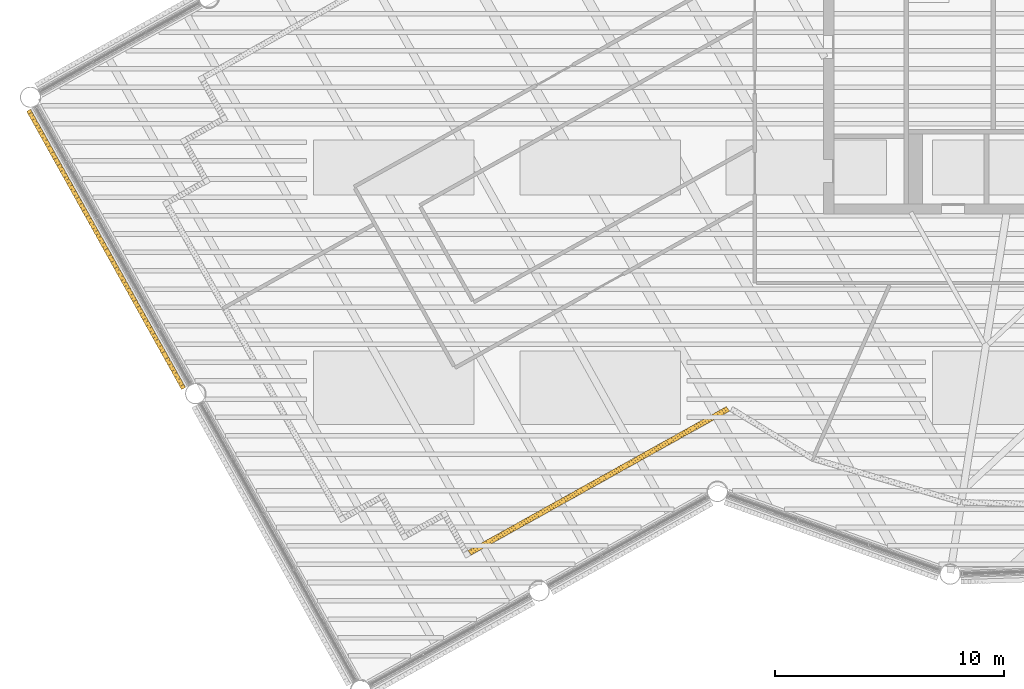
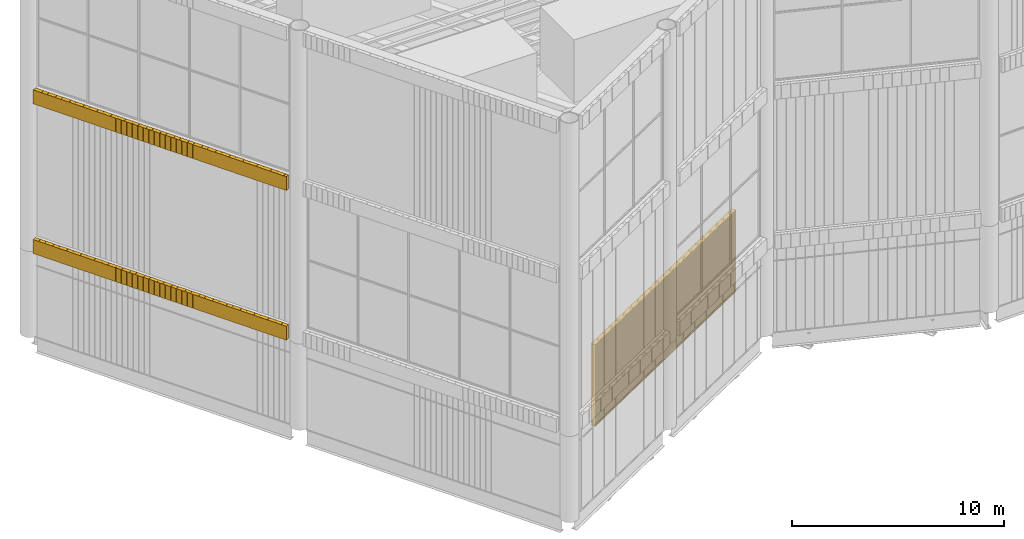
# One storey, part 89 of 117: 2 coverings, 1 shading device.
"""IFC4 building model written with IfcOpenShell, lengths in metres."""

from ifc_helpers import new_model, si_unit, direction, frame, frame_2d, origin, place, context, subcontext, project, spatial, rectangle, composite_profile, extrude, material, type_object, element, save


model = new_model("IFC4")

# Units and contexts
model_context = context("Model", 3, precision=1e-05, world=origin(), true_north=direction((0.0, 1.0)))
body_context = subcontext(model_context, "Body", "Model", "MODEL_VIEW")
ifc_project = project(units=[si_unit("LENGTHUNIT", "METRE"), si_unit("AREAUNIT", "SQUARE_METRE"), si_unit("VOLUMEUNIT", "CUBIC_METRE"), si_unit("PLANEANGLEUNIT", "RADIAN"), si_unit("MASSUNIT", "GRAM", prefix="KILO")], contexts=[model_context])

# Site, building, storey
site_placement = place(None, origin())
site = spatial("IfcSite", under=ifc_project, at=site_placement, CompositionType="ELEMENT")
building_placement = place(site_placement, origin())
building = spatial("IfcBuilding", under=site, at=building_placement, Name="Tarsis Ring Headquarters", CompositionType="ELEMENT")
storey_placement = place(building_placement, frame((0.0, 0.0, 403.60009765625)))
storey = spatial("IfcBuildingStorey", under=building, at=storey_placement, Name="L95", CompositionType="ELEMENT", Elevation=403.60009765625)

# Coverings
ifc_material_1 = material(Name="Terracotta louvre", Category="masonry")
covering_type = type_object("IfcCoveringType", Name="Crown louvre fin", PredefinedType="CLADDING", material=ifc_material_1)
covering_1_placement = place(storey_placement, frame((-44.67578125, -8.468505859375, 5.0), z_axis=(0.0, 0.0, 1.0), x_axis=(0.486629041616, -0.873604444679, 0.0)))
element("IfcCovering", 1, at=covering_1_placement, inside=storey, type_object=covering_type, Name="Crown louvre fascia R16", PredefinedType="CLADDING", context=body_context, shape_type="SweptSolid", body=[
    extrude(composite_profile([rectangle(XDim=0.14501953125, YDim=0.199951171875, at=frame_2d((0.072509765625, 0.0))), rectangle(XDim=0.14501953125, YDim=0.199951171875, at=frame_2d((0.223388671875, 0.0))), rectangle(XDim=0.14501953125, YDim=0.199951171875, at=frame_2d((0.37451171875, 0.0))), rectangle(XDim=0.14501953125, YDim=0.199951171875, at=frame_2d((0.525390625, 0.0))), rectangle(XDim=0.14501953125, YDim=0.199951171875, at=frame_2d((0.676513671875, 0.0))), rectangle(XDim=0.14501953125, YDim=0.199951171875, at=frame_2d((0.827392578125, 0.0))), rectangle(XDim=0.14501953125, YDim=0.199951171875, at=frame_2d((0.978515625, 0.0))), rectangle(XDim=0.14501953125, YDim=0.199951171875, at=frame_2d((1.12939453125, 0.0))), rectangle(XDim=0.14501953125, YDim=0.199951171875, at=frame_2d((1.280517578125, 0.0))), rectangle(XDim=0.14501953125, YDim=0.199951171875, at=frame_2d((1.431396484375, 0.0))), rectangle(XDim=0.14501953125, YDim=0.199951171875, at=frame_2d((1.58251953125, 0.0))), rectangle(XDim=0.14501953125, YDim=0.199951171875, at=frame_2d((1.7333984375, 0.0))), rectangle(XDim=0.14501953125, YDim=0.199951171875, at=frame_2d((1.884521484375, 0.0))), rectangle(XDim=0.14501953125, YDim=0.199951171875, at=frame_2d((2.035400390625, 0.0))), rectangle(XDim=0.14501953125, YDim=0.199951171875, at=frame_2d((2.1865234375, 0.0))), rectangle(XDim=0.14501953125, YDim=0.199951171875, at=frame_2d((2.33740234375, 0.0))), rectangle(XDim=0.14501953125, YDim=0.199951171875, at=frame_2d((2.488525390625, 0.0))), rectangle(XDim=0.14501953125, YDim=0.199951171875, at=frame_2d((2.639404296875, 0.0))), rectangle(XDim=0.14501953125, YDim=0.199951171875, at=frame_2d((2.79052734375, 0.0))), rectangle(XDim=0.14501953125, YDim=0.199951171875, at=frame_2d((2.94140625, 0.0))), rectangle(XDim=0.14501953125, YDim=0.199951171875, at=frame_2d((3.092529296875, 0.0))), rectangle(XDim=0.14501953125, YDim=0.199951171875, at=frame_2d((3.243408203125, 0.0))), rectangle(XDim=0.14501953125, YDim=0.199951171875, at=frame_2d((3.39453125, 0.0))), rectangle(XDim=0.14501953125, YDim=0.199951171875, at=frame_2d((3.54541015625, 0.0))), rectangle(XDim=0.14501953125, YDim=0.199951171875, at=frame_2d((3.696533203125, 0.0))), rectangle(XDim=0.14501953125, YDim=0.199951171875, at=frame_2d((3.847412109375, 0.0))), rectangle(XDim=0.14501953125, YDim=0.199951171875, at=frame_2d((3.99853515625, 0.0))), rectangle(XDim=0.14501953125, YDim=0.199951171875, at=frame_2d((4.1494140625, 0.0))), rectangle(XDim=0.14501953125, YDim=0.199951171875, at=frame_2d((4.300537109375, 0.0))), rectangle(XDim=0.14501953125, YDim=0.199951171875, at=frame_2d((4.451416015625, 0.0))), rectangle(XDim=0.14501953125, YDim=0.199951171875, at=frame_2d((4.6025390625, 0.0))), rectangle(XDim=0.14501953125, YDim=0.199951171875, at=frame_2d((4.75341796875, 0.0))), rectangle(XDim=0.14501953125, YDim=0.199951171875, at=frame_2d((4.904541015625, 0.0))), rectangle(XDim=0.14501953125, YDim=0.199951171875, at=frame_2d((5.055419921875, 0.0))), rectangle(XDim=0.14501953125, YDim=0.199951171875, at=frame_2d((5.20654296875, 0.0))), rectangle(XDim=0.14501953125, YDim=0.199951171875, at=frame_2d((5.357421875, 0.0))), rectangle(XDim=0.14501953125, YDim=0.199951171875, at=frame_2d((5.508544921875, 0.0))), rectangle(XDim=0.14501953125, YDim=0.199951171875, at=frame_2d((5.659423828125, 0.0))), rectangle(XDim=0.14501953125, YDim=0.199951171875, at=frame_2d((5.810546875, 0.0))), rectangle(XDim=0.14501953125, YDim=0.199951171875, at=frame_2d((5.96142578125, 0.0))), rectangle(XDim=0.14501953125, YDim=0.199951171875, at=frame_2d((6.112548828125, 0.0))), rectangle(XDim=0.14501953125, YDim=0.199951171875, at=frame_2d((6.263427734375, 0.0))), rectangle(XDim=0.14501953125, YDim=0.199951171875, at=frame_2d((6.41455078125, 0.0))), rectangle(XDim=0.14501953125, YDim=0.199951171875, at=frame_2d((6.5654296875, 0.0))), rectangle(XDim=0.14501953125, YDim=0.199951171875, at=frame_2d((6.716552734375, 0.0))), rectangle(XDim=0.14501953125, YDim=0.199951171875, at=frame_2d((6.867431640625, 0.0))), rectangle(XDim=0.14501953125, YDim=0.199951171875, at=frame_2d((7.0185546875, 0.0))), rectangle(XDim=0.14501953125, YDim=0.199951171875, at=frame_2d((7.16943359375, 0.0))), rectangle(XDim=0.14501953125, YDim=0.199951171875, at=frame_2d((7.320556640625, 0.0))), rectangle(XDim=0.14501953125, YDim=0.199951171875, at=frame_2d((7.471435546875, 0.0))), rectangle(XDim=0.14501953125, YDim=0.199951171875, at=frame_2d((7.62255859375, 0.0))), rectangle(XDim=0.14501953125, YDim=0.199951171875, at=frame_2d((7.7734375, 0.0))), rectangle(XDim=0.14501953125, YDim=0.199951171875, at=frame_2d((7.924560546875, 0.0))), rectangle(XDim=0.14501953125, YDim=0.199951171875, at=frame_2d((8.075439453125, 0.0))), rectangle(XDim=0.14501953125, YDim=0.199951171875, at=frame_2d((8.2265625, 0.0))), rectangle(XDim=0.14501953125, YDim=0.199951171875, at=frame_2d((8.37744140625, 0.0))), rectangle(XDim=0.14501953125, YDim=0.199951171875, at=frame_2d((8.528564453125, 0.0))), rectangle(XDim=0.14501953125, YDim=0.199951171875, at=frame_2d((8.679443359375, 0.0))), rectangle(XDim=0.14501953125, YDim=0.199951171875, at=frame_2d((8.83056640625, 0.0))), rectangle(XDim=0.14501953125, YDim=0.199951171875, at=frame_2d((8.9814453125, 0.0))), rectangle(XDim=0.14501953125, YDim=0.199951171875, at=frame_2d((9.132568359375, 0.0))), rectangle(XDim=0.14501953125, YDim=0.199951171875, at=frame_2d((9.283447265625, 0.0))), rectangle(XDim=0.14501953125, YDim=0.199951171875, at=frame_2d((9.4345703125, 0.0))), rectangle(XDim=0.14501953125, YDim=0.199951171875, at=frame_2d((9.58544921875, 0.0))), rectangle(XDim=0.14501953125, YDim=0.199951171875, at=frame_2d((9.736572265625, 0.0))), rectangle(XDim=0.14501953125, YDim=0.199951171875, at=frame_2d((9.887451171875, 0.0))), rectangle(XDim=0.14501953125, YDim=0.199951171875, at=frame_2d((10.03857421875, 0.0))), rectangle(XDim=0.14501953125, YDim=0.199951171875, at=frame_2d((10.189453125, 0.0))), rectangle(XDim=0.14501953125, YDim=0.199951171875, at=frame_2d((10.340576171875, 0.0))), rectangle(XDim=0.14501953125, YDim=0.199951171875, at=frame_2d((10.491455078125, 0.0))), rectangle(XDim=0.14501953125, YDim=0.199951171875, at=frame_2d((10.642578125, 0.0))), rectangle(XDim=0.14501953125, YDim=0.199951171875, at=frame_2d((10.79345703125, 0.0))), rectangle(XDim=0.14501953125, YDim=0.199951171875, at=frame_2d((10.944580078125, 0.0))), rectangle(XDim=0.14501953125, YDim=0.199951171875, at=frame_2d((11.095458984375, 0.0))), rectangle(XDim=0.14501953125, YDim=0.199951171875, at=frame_2d((11.24658203125, 0.0))), rectangle(XDim=0.14501953125, YDim=0.199951171875, at=frame_2d((11.3974609375, 0.0))), rectangle(XDim=0.14501953125, YDim=0.199951171875, at=frame_2d((11.548583984375, 0.0))), rectangle(XDim=0.14501953125, YDim=0.199951171875, at=frame_2d((11.699462890625, 0.0))), rectangle(XDim=0.14501953125, YDim=0.199951171875, at=frame_2d((11.8505859375, 0.0))), rectangle(XDim=0.14501953125, YDim=0.199951171875, at=frame_2d((12.00146484375, 0.0))), rectangle(XDim=0.14501953125, YDim=0.199951171875, at=frame_2d((12.152587890625, 0.0))), rectangle(XDim=0.14501953125, YDim=0.199951171875, at=frame_2d((12.303466796875, 0.0))), rectangle(XDim=0.14501953125, YDim=0.199951171875, at=frame_2d((12.45458984375, 0.0))), rectangle(XDim=0.14501953125, YDim=0.199951171875, at=frame_2d((12.60546875, 0.0))), rectangle(XDim=0.14501953125, YDim=0.199951171875, at=frame_2d((12.756591796875, 0.0))), rectangle(XDim=0.14501953125, YDim=0.199951171875, at=frame_2d((12.907470703125, 0.0))), rectangle(XDim=0.14501953125, YDim=0.199951171875, at=frame_2d((13.05859375, 0.0))), rectangle(XDim=0.14501953125, YDim=0.199951171875, at=frame_2d((13.20947265625, 0.0))), rectangle(XDim=0.14501953125, YDim=0.199951171875, at=frame_2d((13.360595703125, 0.0))), rectangle(XDim=0.14501953125, YDim=0.199951171875, at=frame_2d((13.511474609375, 0.0))), rectangle(XDim=0.14501953125, YDim=0.199951171875, at=frame_2d((13.66259765625, 0.0))), rectangle(XDim=0.14501953125, YDim=0.199951171875, at=frame_2d((13.8134765625, 0.0)))]), origin(), (0.0, 0.0, 1.0), 0.7998046875),
])
covering_2_placement = place(storey_placement, frame((-44.67578125, -8.468505859375, 13.599853515625), z_axis=(0.0, 0.0, 1.0), x_axis=(0.486629041616, -0.873604444679, 0.0)))
element("IfcCovering", 2, at=covering_2_placement, inside=storey, type_object=covering_type, Name="Crown louvre fascia M16", PredefinedType="CLADDING", context=body_context, shape_type="SweptSolid", body=[
    extrude(composite_profile([rectangle(XDim=0.14501953125, YDim=0.199951171875, at=frame_2d((0.072509765625, 0.0))), rectangle(XDim=0.14501953125, YDim=0.199951171875, at=frame_2d((0.223388671875, 0.0))), rectangle(XDim=0.14501953125, YDim=0.199951171875, at=frame_2d((0.37451171875, 0.0))), rectangle(XDim=0.14501953125, YDim=0.199951171875, at=frame_2d((0.525390625, 0.0))), rectangle(XDim=0.14501953125, YDim=0.199951171875, at=frame_2d((0.676513671875, 0.0))), rectangle(XDim=0.14501953125, YDim=0.199951171875, at=frame_2d((0.827392578125, 0.0))), rectangle(XDim=0.14501953125, YDim=0.199951171875, at=frame_2d((0.978515625, 0.0))), rectangle(XDim=0.14501953125, YDim=0.199951171875, at=frame_2d((1.12939453125, 0.0))), rectangle(XDim=0.14501953125, YDim=0.199951171875, at=frame_2d((1.280517578125, 0.0))), rectangle(XDim=0.14501953125, YDim=0.199951171875, at=frame_2d((1.431396484375, 0.0))), rectangle(XDim=0.14501953125, YDim=0.199951171875, at=frame_2d((1.58251953125, 0.0))), rectangle(XDim=0.14501953125, YDim=0.199951171875, at=frame_2d((1.7333984375, 0.0))), rectangle(XDim=0.14501953125, YDim=0.199951171875, at=frame_2d((1.884521484375, 0.0))), rectangle(XDim=0.14501953125, YDim=0.199951171875, at=frame_2d((2.035400390625, 0.0))), rectangle(XDim=0.14501953125, YDim=0.199951171875, at=frame_2d((2.1865234375, 0.0))), rectangle(XDim=0.14501953125, YDim=0.199951171875, at=frame_2d((2.33740234375, 0.0))), rectangle(XDim=0.14501953125, YDim=0.199951171875, at=frame_2d((2.488525390625, 0.0))), rectangle(XDim=0.14501953125, YDim=0.199951171875, at=frame_2d((2.639404296875, 0.0))), rectangle(XDim=0.14501953125, YDim=0.199951171875, at=frame_2d((2.79052734375, 0.0))), rectangle(XDim=0.14501953125, YDim=0.199951171875, at=frame_2d((2.94140625, 0.0))), rectangle(XDim=0.14501953125, YDim=0.199951171875, at=frame_2d((3.092529296875, 0.0))), rectangle(XDim=0.14501953125, YDim=0.199951171875, at=frame_2d((3.243408203125, 0.0))), rectangle(XDim=0.14501953125, YDim=0.199951171875, at=frame_2d((3.39453125, 0.0))), rectangle(XDim=0.14501953125, YDim=0.199951171875, at=frame_2d((3.54541015625, 0.0))), rectangle(XDim=0.14501953125, YDim=0.199951171875, at=frame_2d((3.696533203125, 0.0))), rectangle(XDim=0.14501953125, YDim=0.199951171875, at=frame_2d((3.847412109375, 0.0))), rectangle(XDim=0.14501953125, YDim=0.199951171875, at=frame_2d((3.99853515625, 0.0))), rectangle(XDim=0.14501953125, YDim=0.199951171875, at=frame_2d((4.1494140625, 0.0))), rectangle(XDim=0.14501953125, YDim=0.199951171875, at=frame_2d((4.300537109375, 0.0))), rectangle(XDim=0.14501953125, YDim=0.199951171875, at=frame_2d((4.451416015625, 0.0))), rectangle(XDim=0.14501953125, YDim=0.199951171875, at=frame_2d((4.6025390625, 0.0))), rectangle(XDim=0.14501953125, YDim=0.199951171875, at=frame_2d((4.75341796875, 0.0))), rectangle(XDim=0.14501953125, YDim=0.199951171875, at=frame_2d((4.904541015625, 0.0))), rectangle(XDim=0.14501953125, YDim=0.199951171875, at=frame_2d((5.055419921875, 0.0))), rectangle(XDim=0.14501953125, YDim=0.199951171875, at=frame_2d((5.20654296875, 0.0))), rectangle(XDim=0.14501953125, YDim=0.199951171875, at=frame_2d((5.357421875, 0.0))), rectangle(XDim=0.14501953125, YDim=0.199951171875, at=frame_2d((5.508544921875, 0.0))), rectangle(XDim=0.14501953125, YDim=0.199951171875, at=frame_2d((5.659423828125, 0.0))), rectangle(XDim=0.14501953125, YDim=0.199951171875, at=frame_2d((5.810546875, 0.0))), rectangle(XDim=0.14501953125, YDim=0.199951171875, at=frame_2d((5.96142578125, 0.0))), rectangle(XDim=0.14501953125, YDim=0.199951171875, at=frame_2d((6.112548828125, 0.0))), rectangle(XDim=0.14501953125, YDim=0.199951171875, at=frame_2d((6.263427734375, 0.0))), rectangle(XDim=0.14501953125, YDim=0.199951171875, at=frame_2d((6.41455078125, 0.0))), rectangle(XDim=0.14501953125, YDim=0.199951171875, at=frame_2d((6.5654296875, 0.0))), rectangle(XDim=0.14501953125, YDim=0.199951171875, at=frame_2d((6.716552734375, 0.0))), rectangle(XDim=0.14501953125, YDim=0.199951171875, at=frame_2d((6.867431640625, 0.0))), rectangle(XDim=0.14501953125, YDim=0.199951171875, at=frame_2d((7.0185546875, 0.0))), rectangle(XDim=0.14501953125, YDim=0.199951171875, at=frame_2d((7.16943359375, 0.0))), rectangle(XDim=0.14501953125, YDim=0.199951171875, at=frame_2d((7.320556640625, 0.0))), rectangle(XDim=0.14501953125, YDim=0.199951171875, at=frame_2d((7.471435546875, 0.0))), rectangle(XDim=0.14501953125, YDim=0.199951171875, at=frame_2d((7.62255859375, 0.0))), rectangle(XDim=0.14501953125, YDim=0.199951171875, at=frame_2d((7.7734375, 0.0))), rectangle(XDim=0.14501953125, YDim=0.199951171875, at=frame_2d((7.924560546875, 0.0))), rectangle(XDim=0.14501953125, YDim=0.199951171875, at=frame_2d((8.075439453125, 0.0))), rectangle(XDim=0.14501953125, YDim=0.199951171875, at=frame_2d((8.2265625, 0.0))), rectangle(XDim=0.14501953125, YDim=0.199951171875, at=frame_2d((8.37744140625, 0.0))), rectangle(XDim=0.14501953125, YDim=0.199951171875, at=frame_2d((8.528564453125, 0.0))), rectangle(XDim=0.14501953125, YDim=0.199951171875, at=frame_2d((8.679443359375, 0.0))), rectangle(XDim=0.14501953125, YDim=0.199951171875, at=frame_2d((8.83056640625, 0.0))), rectangle(XDim=0.14501953125, YDim=0.199951171875, at=frame_2d((8.9814453125, 0.0))), rectangle(XDim=0.14501953125, YDim=0.199951171875, at=frame_2d((9.132568359375, 0.0))), rectangle(XDim=0.14501953125, YDim=0.199951171875, at=frame_2d((9.283447265625, 0.0))), rectangle(XDim=0.14501953125, YDim=0.199951171875, at=frame_2d((9.4345703125, 0.0))), rectangle(XDim=0.14501953125, YDim=0.199951171875, at=frame_2d((9.58544921875, 0.0))), rectangle(XDim=0.14501953125, YDim=0.199951171875, at=frame_2d((9.736572265625, 0.0))), rectangle(XDim=0.14501953125, YDim=0.199951171875, at=frame_2d((9.887451171875, 0.0))), rectangle(XDim=0.14501953125, YDim=0.199951171875, at=frame_2d((10.03857421875, 0.0))), rectangle(XDim=0.14501953125, YDim=0.199951171875, at=frame_2d((10.189453125, 0.0))), rectangle(XDim=0.14501953125, YDim=0.199951171875, at=frame_2d((10.340576171875, 0.0))), rectangle(XDim=0.14501953125, YDim=0.199951171875, at=frame_2d((10.491455078125, 0.0))), rectangle(XDim=0.14501953125, YDim=0.199951171875, at=frame_2d((10.642578125, 0.0))), rectangle(XDim=0.14501953125, YDim=0.199951171875, at=frame_2d((10.79345703125, 0.0))), rectangle(XDim=0.14501953125, YDim=0.199951171875, at=frame_2d((10.944580078125, 0.0))), rectangle(XDim=0.14501953125, YDim=0.199951171875, at=frame_2d((11.095458984375, 0.0))), rectangle(XDim=0.14501953125, YDim=0.199951171875, at=frame_2d((11.24658203125, 0.0))), rectangle(XDim=0.14501953125, YDim=0.199951171875, at=frame_2d((11.3974609375, 0.0))), rectangle(XDim=0.14501953125, YDim=0.199951171875, at=frame_2d((11.548583984375, 0.0))), rectangle(XDim=0.14501953125, YDim=0.199951171875, at=frame_2d((11.699462890625, 0.0))), rectangle(XDim=0.14501953125, YDim=0.199951171875, at=frame_2d((11.8505859375, 0.0))), rectangle(XDim=0.14501953125, YDim=0.199951171875, at=frame_2d((12.00146484375, 0.0))), rectangle(XDim=0.14501953125, YDim=0.199951171875, at=frame_2d((12.152587890625, 0.0))), rectangle(XDim=0.14501953125, YDim=0.199951171875, at=frame_2d((12.303466796875, 0.0))), rectangle(XDim=0.14501953125, YDim=0.199951171875, at=frame_2d((12.45458984375, 0.0))), rectangle(XDim=0.14501953125, YDim=0.199951171875, at=frame_2d((12.60546875, 0.0))), rectangle(XDim=0.14501953125, YDim=0.199951171875, at=frame_2d((12.756591796875, 0.0))), rectangle(XDim=0.14501953125, YDim=0.199951171875, at=frame_2d((12.907470703125, 0.0))), rectangle(XDim=0.14501953125, YDim=0.199951171875, at=frame_2d((13.05859375, 0.0))), rectangle(XDim=0.14501953125, YDim=0.199951171875, at=frame_2d((13.20947265625, 0.0))), rectangle(XDim=0.14501953125, YDim=0.199951171875, at=frame_2d((13.360595703125, 0.0))), rectangle(XDim=0.14501953125, YDim=0.199951171875, at=frame_2d((13.511474609375, 0.0))), rectangle(XDim=0.14501953125, YDim=0.199951171875, at=frame_2d((13.66259765625, 0.0))), rectangle(XDim=0.14501953125, YDim=0.199951171875, at=frame_2d((13.8134765625, 0.0)))]), origin(), (0.0, 0.0, 1.0), 0.800048828125),
])

# Shading device
ifc_material_2 = material(Name="Aluminium louvre", Category="aluminium")
shading_device_type = type_object("IfcShadingDeviceType", Name="Plant louvre fin", PredefinedType="USERDEFINED", material=ifc_material_2)
shading_device_placement = place(storey_placement, frame((-25.452392578125, -27.771484375, 0.0), z_axis=(0.0, 0.0, 1.0), x_axis=(0.873601874244, 0.486642230955, 0.0)))
element("IfcShadingDevice", 3, at=shading_device_placement, inside=storey, type_object=shading_device_type, Name="Louvre L95-01", ObjectType="Louvre", PredefinedType="USERDEFINED", context=body_context, shape_type="SweptSolid", body=[
    extrude(composite_profile([rectangle(XDim=0.1201171875, YDim=0.239990234375, at=frame_2d((0.076171875, 0.0), x_axis=(0.990268068742, 0.13917310096))), rectangle(XDim=0.1201171875, YDim=0.239990234375, at=frame_2d((0.201416015625, 0.0), x_axis=(0.990268068742, 0.13917310096))), rectangle(XDim=0.1201171875, YDim=0.239990234375, at=frame_2d((0.32666015625, 0.0), x_axis=(0.990268068742, 0.13917310096))), rectangle(XDim=0.1201171875, YDim=0.239990234375, at=frame_2d((0.45166015625, 0.0), x_axis=(0.990268068742, 0.13917310096))), rectangle(XDim=0.1201171875, YDim=0.239990234375, at=frame_2d((0.576904296875, 0.0), x_axis=(0.990268068742, 0.13917310096))), rectangle(XDim=0.1201171875, YDim=0.239990234375, at=frame_2d((0.7021484375, 0.0), x_axis=(0.990268068742, 0.13917310096))), rectangle(XDim=0.1201171875, YDim=0.239990234375, at=frame_2d((0.827392578125, 0.0), x_axis=(0.990268068742, 0.13917310096))), rectangle(XDim=0.1201171875, YDim=0.239990234375, at=frame_2d((0.95263671875, 0.0), x_axis=(0.990268068742, 0.13917310096))), rectangle(XDim=0.1201171875, YDim=0.239990234375, at=frame_2d((1.07763671875, 0.0), x_axis=(0.990268068742, 0.13917310096))), rectangle(XDim=0.1201171875, YDim=0.239990234375, at=frame_2d((1.202880859375, 0.0), x_axis=(0.990268068742, 0.13917310096))), rectangle(XDim=0.1201171875, YDim=0.239990234375, at=frame_2d((1.328125, 0.0), x_axis=(0.990268068742, 0.13917310096))), rectangle(XDim=0.1201171875, YDim=0.239990234375, at=frame_2d((1.453369140625, 0.0), x_axis=(0.990268068742, 0.13917310096))), rectangle(XDim=0.1201171875, YDim=0.239990234375, at=frame_2d((1.57861328125, 0.0), x_axis=(0.990268068742, 0.13917310096))), rectangle(XDim=0.1201171875, YDim=0.239990234375, at=frame_2d((1.70361328125, 0.0), x_axis=(0.990268068742, 0.13917310096))), rectangle(XDim=0.1201171875, YDim=0.239990234375, at=frame_2d((1.828857421875, 0.0), x_axis=(0.990268068742, 0.13917310096))), rectangle(XDim=0.1201171875, YDim=0.239990234375, at=frame_2d((1.9541015625, 0.0), x_axis=(0.990268068742, 0.13917310096))), rectangle(XDim=0.1201171875, YDim=0.239990234375, at=frame_2d((2.079345703125, 0.0), x_axis=(0.990268068742, 0.13917310096))), rectangle(XDim=0.1201171875, YDim=0.239990234375, at=frame_2d((2.20458984375, 0.0), x_axis=(0.990268068742, 0.13917310096))), rectangle(XDim=0.1201171875, YDim=0.239990234375, at=frame_2d((2.32958984375, 0.0), x_axis=(0.990268068742, 0.13917310096))), rectangle(XDim=0.1201171875, YDim=0.239990234375, at=frame_2d((2.454833984375, 0.0), x_axis=(0.990268068742, 0.13917310096))), rectangle(XDim=0.1201171875, YDim=0.239990234375, at=frame_2d((2.580078125, 0.0), x_axis=(0.990268068742, 0.13917310096))), rectangle(XDim=0.1201171875, YDim=0.239990234375, at=frame_2d((2.705322265625, 0.0), x_axis=(0.990268068742, 0.13917310096))), rectangle(XDim=0.1201171875, YDim=0.239990234375, at=frame_2d((2.830322265625, 0.0), x_axis=(0.990268068742, 0.13917310096))), rectangle(XDim=0.1201171875, YDim=0.239990234375, at=frame_2d((2.95556640625, 0.0), x_axis=(0.990268068742, 0.13917310096))), rectangle(XDim=0.1201171875, YDim=0.239990234375, at=frame_2d((3.080810546875, 0.0), x_axis=(0.990268068742, 0.13917310096))), rectangle(XDim=0.1201171875, YDim=0.239990234375, at=frame_2d((3.2060546875, 0.0), x_axis=(0.990268068742, 0.13917310096))), rectangle(XDim=0.1201171875, YDim=0.239990234375, at=frame_2d((3.331298828125, 0.0), x_axis=(0.990268068742, 0.13917310096))), rectangle(XDim=0.1201171875, YDim=0.239990234375, at=frame_2d((3.456298828125, 0.0), x_axis=(0.990268068742, 0.13917310096))), rectangle(XDim=0.1201171875, YDim=0.239990234375, at=frame_2d((3.58154296875, 0.0), x_axis=(0.990268068742, 0.13917310096))), rectangle(XDim=0.1201171875, YDim=0.239990234375, at=frame_2d((3.706787109375, 0.0), x_axis=(0.990268068742, 0.13917310096))), rectangle(XDim=0.1201171875, YDim=0.239990234375, at=frame_2d((3.83203125, 0.0), x_axis=(0.990268068742, 0.13917310096))), rectangle(XDim=0.1201171875, YDim=0.239990234375, at=frame_2d((3.957275390625, 0.0), x_axis=(0.990268068742, 0.13917310096))), rectangle(XDim=0.1201171875, YDim=0.239990234375, at=frame_2d((4.082275390625, 0.0), x_axis=(0.990268068742, 0.13917310096))), rectangle(XDim=0.1201171875, YDim=0.239990234375, at=frame_2d((4.20751953125, 0.0), x_axis=(0.990268068742, 0.13917310096))), rectangle(XDim=0.1201171875, YDim=0.239990234375, at=frame_2d((4.332763671875, 0.0), x_axis=(0.990268068742, 0.13917310096))), rectangle(XDim=0.1201171875, YDim=0.239990234375, at=frame_2d((4.4580078125, 0.0), x_axis=(0.990268068742, 0.13917310096))), rectangle(XDim=0.1201171875, YDim=0.239990234375, at=frame_2d((4.583251953125, 0.0), x_axis=(0.990268068742, 0.13917310096))), rectangle(XDim=0.1201171875, YDim=0.239990234375, at=frame_2d((4.708251953125, 0.0), x_axis=(0.990268068742, 0.13917310096))), rectangle(XDim=0.1201171875, YDim=0.239990234375, at=frame_2d((4.83349609375, 0.0), x_axis=(0.990268068742, 0.13917310096))), rectangle(XDim=0.1201171875, YDim=0.239990234375, at=frame_2d((4.958740234375, 0.0), x_axis=(0.990268068742, 0.13917310096))), rectangle(XDim=0.1201171875, YDim=0.239990234375, at=frame_2d((5.083984375, 0.0), x_axis=(0.990268068742, 0.13917310096))), rectangle(XDim=0.1201171875, YDim=0.239990234375, at=frame_2d((5.209228515625, 0.0), x_axis=(0.990268068742, 0.13917310096))), rectangle(XDim=0.1201171875, YDim=0.239990234375, at=frame_2d((5.334228515625, 0.0), x_axis=(0.990268068742, 0.13917310096))), rectangle(XDim=0.1201171875, YDim=0.239990234375, at=frame_2d((5.45947265625, 0.0), x_axis=(0.990268068742, 0.13917310096))), rectangle(XDim=0.1201171875, YDim=0.239990234375, at=frame_2d((5.584716796875, 0.0), x_axis=(0.990268068742, 0.13917310096))), rectangle(XDim=0.1201171875, YDim=0.239990234375, at=frame_2d((5.7099609375, 0.0), x_axis=(0.990268068742, 0.13917310096))), rectangle(XDim=0.1201171875, YDim=0.239990234375, at=frame_2d((5.835205078125, 0.0), x_axis=(0.990268068742, 0.13917310096))), rectangle(XDim=0.1201171875, YDim=0.239990234375, at=frame_2d((5.960205078125, 0.0), x_axis=(0.990268068742, 0.13917310096))), rectangle(XDim=0.1201171875, YDim=0.239990234375, at=frame_2d((6.08544921875, 0.0), x_axis=(0.990268068742, 0.13917310096))), rectangle(XDim=0.1201171875, YDim=0.239990234375, at=frame_2d((6.210693359375, 0.0), x_axis=(0.990268068742, 0.13917310096))), rectangle(XDim=0.1201171875, YDim=0.239990234375, at=frame_2d((6.3359375, 0.0), x_axis=(0.990268068742, 0.13917310096))), rectangle(XDim=0.1201171875, YDim=0.239990234375, at=frame_2d((6.4609375, 0.0), x_axis=(0.990268068742, 0.13917310096))), rectangle(XDim=0.1201171875, YDim=0.239990234375, at=frame_2d((6.586181640625, 0.0), x_axis=(0.990268068742, 0.13917310096))), rectangle(XDim=0.1201171875, YDim=0.239990234375, at=frame_2d((6.71142578125, 0.0), x_axis=(0.990268068742, 0.13917310096))), rectangle(XDim=0.1201171875, YDim=0.239990234375, at=frame_2d((6.836669921875, 0.0), x_axis=(0.990268068742, 0.13917310096))), rectangle(XDim=0.1201171875, YDim=0.239990234375, at=frame_2d((6.9619140625, 0.0), x_axis=(0.990268068742, 0.13917310096))), rectangle(XDim=0.1201171875, YDim=0.239990234375, at=frame_2d((7.0869140625, 0.0), x_axis=(0.990268068742, 0.13917310096))), rectangle(XDim=0.1201171875, YDim=0.239990234375, at=frame_2d((7.212158203125, 0.0), x_axis=(0.990268068742, 0.13917310096))), rectangle(XDim=0.1201171875, YDim=0.239990234375, at=frame_2d((7.33740234375, 0.0), x_axis=(0.990268068742, 0.13917310096))), rectangle(XDim=0.1201171875, YDim=0.239990234375, at=frame_2d((7.462646484375, 0.0), x_axis=(0.990268068742, 0.13917310096))), rectangle(XDim=0.1201171875, YDim=0.239990234375, at=frame_2d((7.587890625, 0.0), x_axis=(0.990268068742, 0.13917310096))), rectangle(XDim=0.1201171875, YDim=0.239990234375, at=frame_2d((7.712890625, 0.0), x_axis=(0.990268068742, 0.13917310096))), rectangle(XDim=0.1201171875, YDim=0.239990234375, at=frame_2d((7.838134765625, 0.0), x_axis=(0.990268068742, 0.13917310096))), rectangle(XDim=0.1201171875, YDim=0.239990234375, at=frame_2d((7.96337890625, 0.0), x_axis=(0.990268068742, 0.13917310096))), rectangle(XDim=0.1201171875, YDim=0.239990234375, at=frame_2d((8.088623046875, 0.0), x_axis=(0.990268068742, 0.13917310096))), rectangle(XDim=0.1201171875, YDim=0.239990234375, at=frame_2d((8.2138671875, 0.0), x_axis=(0.990268068742, 0.13917310096))), rectangle(XDim=0.1201171875, YDim=0.239990234375, at=frame_2d((8.3388671875, 0.0), x_axis=(0.990268068742, 0.13917310096))), rectangle(XDim=0.1201171875, YDim=0.239990234375, at=frame_2d((8.464111328125, 0.0), x_axis=(0.990268068742, 0.13917310096))), rectangle(XDim=0.1201171875, YDim=0.239990234375, at=frame_2d((8.58935546875, 0.0), x_axis=(0.990268068742, 0.13917310096))), rectangle(XDim=0.1201171875, YDim=0.239990234375, at=frame_2d((8.714599609375, 0.0), x_axis=(0.990268068742, 0.13917310096))), rectangle(XDim=0.1201171875, YDim=0.239990234375, at=frame_2d((8.83984375, 0.0), x_axis=(0.990268068742, 0.13917310096))), rectangle(XDim=0.1201171875, YDim=0.239990234375, at=frame_2d((8.96484375, 0.0), x_axis=(0.990268068742, 0.13917310096))), rectangle(XDim=0.1201171875, YDim=0.239990234375, at=frame_2d((9.090087890625, 0.0), x_axis=(0.990268068742, 0.13917310096))), rectangle(XDim=0.1201171875, YDim=0.239990234375, at=frame_2d((9.21533203125, 0.0), x_axis=(0.990268068742, 0.13917310096))), rectangle(XDim=0.1201171875, YDim=0.239990234375, at=frame_2d((9.340576171875, 0.0), x_axis=(0.990268068742, 0.13917310096))), rectangle(XDim=0.1201171875, YDim=0.239990234375, at=frame_2d((9.4658203125, 0.0), x_axis=(0.990268068742, 0.13917310096))), rectangle(XDim=0.1201171875, YDim=0.239990234375, at=frame_2d((9.5908203125, 0.0), x_axis=(0.990268068742, 0.13917310096))), rectangle(XDim=0.1201171875, YDim=0.239990234375, at=frame_2d((9.716064453125, 0.0), x_axis=(0.990268068742, 0.13917310096))), rectangle(XDim=0.1201171875, YDim=0.239990234375, at=frame_2d((9.84130859375, 0.0), x_axis=(0.990268068742, 0.13917310096))), rectangle(XDim=0.1201171875, YDim=0.239990234375, at=frame_2d((9.966552734375, 0.0), x_axis=(0.990268068742, 0.13917310096))), rectangle(XDim=0.1201171875, YDim=0.239990234375, at=frame_2d((10.091796875, 0.0), x_axis=(0.990268068742, 0.13917310096))), rectangle(XDim=0.1201171875, YDim=0.239990234375, at=frame_2d((10.216796875, 0.0), x_axis=(0.990268068742, 0.13917310096))), rectangle(XDim=0.1201171875, YDim=0.239990234375, at=frame_2d((10.342041015625, 0.0), x_axis=(0.990268068742, 0.13917310096))), rectangle(XDim=0.1201171875, YDim=0.239990234375, at=frame_2d((10.46728515625, 0.0), x_axis=(0.990268068742, 0.13917310096))), rectangle(XDim=0.1201171875, YDim=0.239990234375, at=frame_2d((10.592529296875, 0.0), x_axis=(0.990268068742, 0.13917310096))), rectangle(XDim=0.1201171875, YDim=0.239990234375, at=frame_2d((10.717529296875, 0.0), x_axis=(0.990268068742, 0.13917310096))), rectangle(XDim=0.1201171875, YDim=0.239990234375, at=frame_2d((10.8427734375, 0.0), x_axis=(0.990268068742, 0.13917310096))), rectangle(XDim=0.1201171875, YDim=0.239990234375, at=frame_2d((10.968017578125, 0.0), x_axis=(0.990268068742, 0.13917310096))), rectangle(XDim=0.1201171875, YDim=0.239990234375, at=frame_2d((11.09326171875, 0.0), x_axis=(0.990268068742, 0.13917310096))), rectangle(XDim=0.1201171875, YDim=0.239990234375, at=frame_2d((11.218505859375, 0.0), x_axis=(0.990268068742, 0.13917310096))), rectangle(XDim=0.1201171875, YDim=0.239990234375, at=frame_2d((11.343505859375, 0.0), x_axis=(0.990268068742, 0.13917310096))), rectangle(XDim=0.1201171875, YDim=0.239990234375, at=frame_2d((11.46875, 0.0), x_axis=(0.990268068742, 0.13917310096))), rectangle(XDim=0.1201171875, YDim=0.239990234375, at=frame_2d((11.593994140625, 0.0), x_axis=(0.990268068742, 0.13917310096))), rectangle(XDim=0.1201171875, YDim=0.239990234375, at=frame_2d((11.71923828125, 0.0), x_axis=(0.990268068742, 0.13917310096))), rectangle(XDim=0.1201171875, YDim=0.239990234375, at=frame_2d((11.844482421875, 0.0), x_axis=(0.990268068742, 0.13917310096))), rectangle(XDim=0.1201171875, YDim=0.239990234375, at=frame_2d((11.969482421875, 0.0), x_axis=(0.990268068742, 0.13917310096))), rectangle(XDim=0.1201171875, YDim=0.239990234375, at=frame_2d((12.0947265625, 0.0), x_axis=(0.990268068742, 0.13917310096))), rectangle(XDim=0.1201171875, YDim=0.239990234375, at=frame_2d((12.219970703125, 0.0), x_axis=(0.990268068742, 0.13917310096))), rectangle(XDim=0.1201171875, YDim=0.239990234375, at=frame_2d((12.34521484375, 0.0), x_axis=(0.990268068742, 0.13917310096))), rectangle(XDim=0.1201171875, YDim=0.239990234375, at=frame_2d((12.470458984375, 0.0), x_axis=(0.990268068742, 0.13917310096))), rectangle(XDim=0.1201171875, YDim=0.239990234375, at=frame_2d((12.595458984375, 0.0), x_axis=(0.990268068742, 0.13917310096))), rectangle(XDim=0.1201171875, YDim=0.239990234375, at=frame_2d((12.720703125, 0.0), x_axis=(0.990268068742, 0.13917310096))), rectangle(XDim=0.1201171875, YDim=0.239990234375, at=frame_2d((12.845947265625, 0.0), x_axis=(0.990268068742, 0.13917310096)))]), origin(), (0.0, 0.0, 1.0), 4.699951171875),
])

save(model, "model.ifc")
